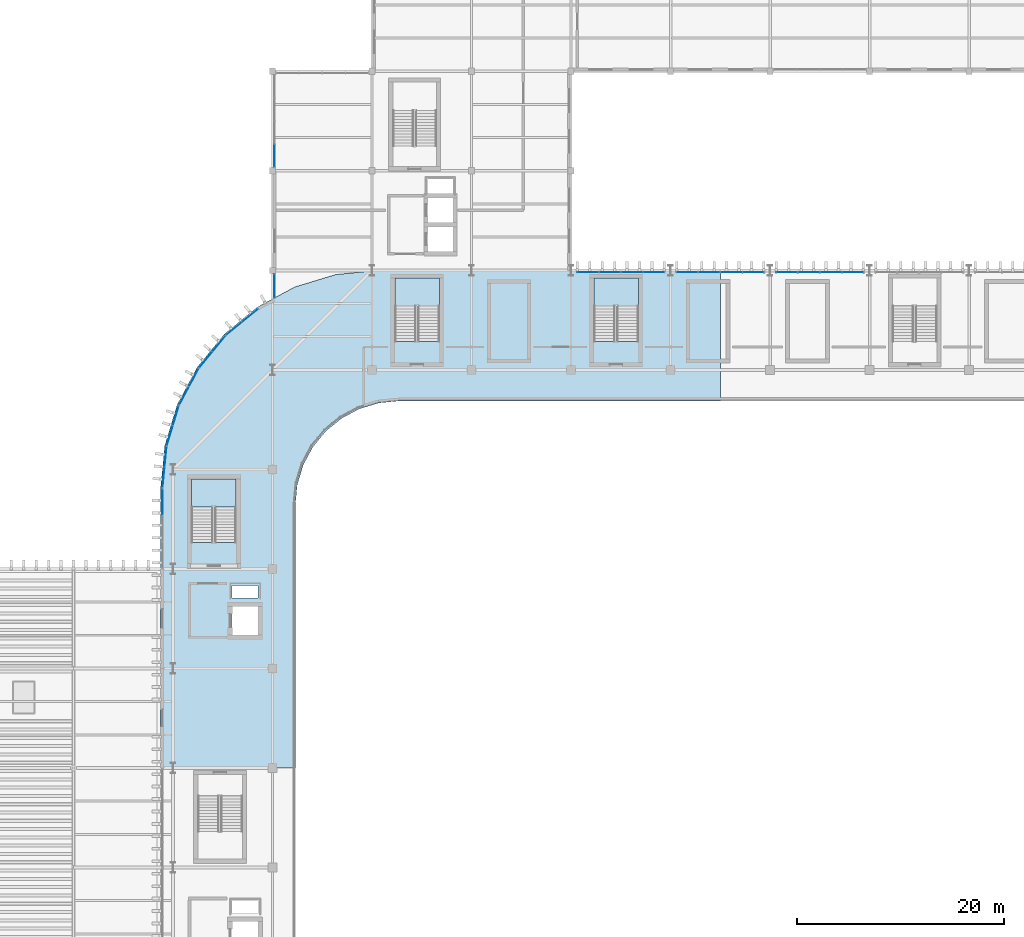
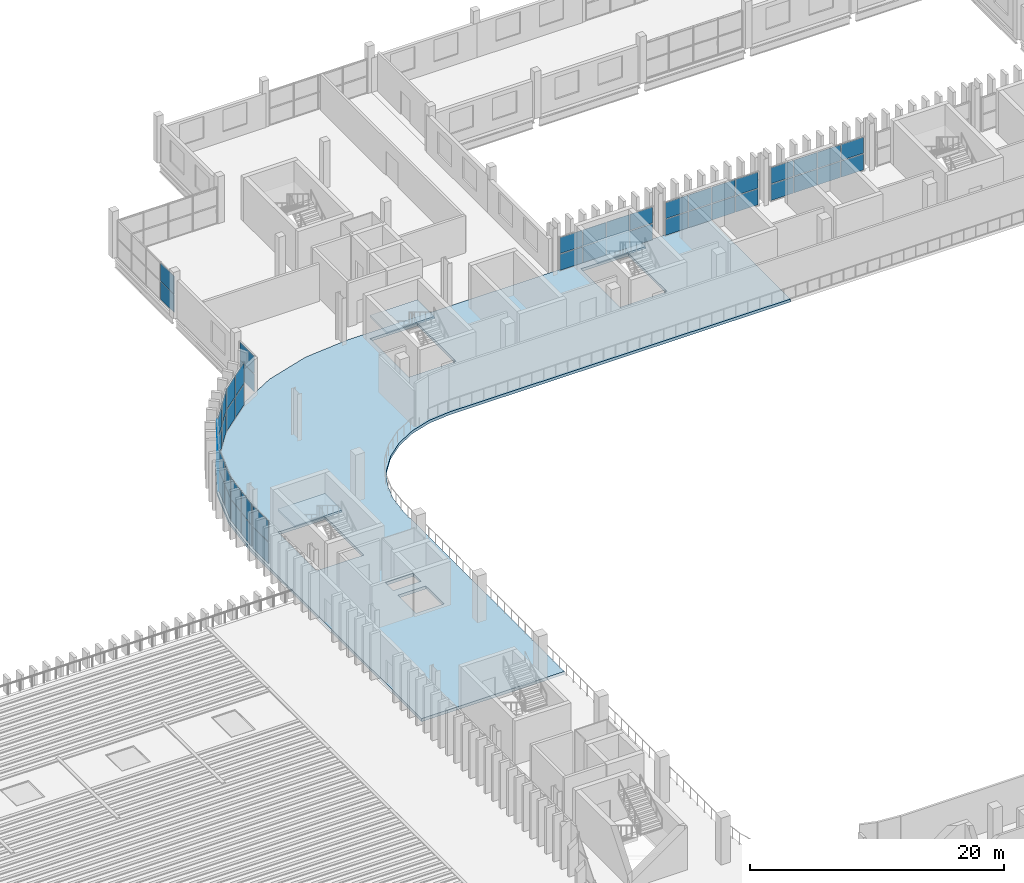
# One storey, part 50 of 92: 50 plates, 4 slabs, 14 elements without a shape of their own.
"""IFC4 building model written with IfcOpenShell, lengths in metres."""

from ifc_helpers import new_model, si_unit, direction, frame, origin, origin_2d, place, context, subcontext, project, spatial, polyline, rectangle, outline, extrude, material, layer, layer_set, type_object, element, aggregate, save


model = new_model("IFC4")

# Units and contexts
model_context = context("Model", 3, precision=1e-05, world=origin(), true_north=direction((0.0, 1.0)))
body_context = subcontext(model_context, "Body", "Model", "MODEL_VIEW")
ifc_project = project(units=[si_unit("LENGTHUNIT", "METRE"), si_unit("AREAUNIT", "SQUARE_METRE"), si_unit("VOLUMEUNIT", "CUBIC_METRE"), si_unit("PLANEANGLEUNIT", "RADIAN"), si_unit("MASSUNIT", "GRAM", prefix="KILO")], contexts=[model_context])

# Site, building, storey
site_placement = place(None, origin())
site = spatial("IfcSite", under=ifc_project, at=site_placement, CompositionType="ELEMENT")
building_placement = place(site_placement, origin())
building = spatial("IfcBuilding", under=site, at=building_placement, Name="Caelomonte Colonnade Arena", CompositionType="ELEMENT")
storey_placement = place(building_placement, frame((0.0, 0.0, 9.60009765625)))
storey = spatial("IfcBuildingStorey", under=building, at=storey_placement, Name="L02", CompositionType="ELEMENT", Elevation=9.60009765625)

# Curtain wall, plates
ifc_material_1 = material(Name="Bronze anodised aluminium and low-E glazing", Category="aluminium")
ifc_layer_1 = layer(ifc_material_1, 0.179931640625)
ifc_layer_set_1 = layer_set([ifc_layer_1], Name="Bronze anodised aluminium and low-E glazing")
curtain_wall_type_1 = type_object("IfcCurtainWallType", Name="ENV-CW-CW-L02-44-42", PredefinedType="USERDEFINED", material=ifc_layer_set_1)
curtain_wall_1_placement = place(storey_placement, origin())
curtain_wall_1 = element("IfcCurtainWall", 1, at=curtain_wall_1_placement, inside=storey, type_object=curtain_wall_type_1, Name="L02 unitized curtain wall CW-L02-0643-1102", ObjectType="UNITIZED CURTAIN WALL", PredefinedType="USERDEFINED")
ifc_material_2 = material(Name="Solar-control bronze low-E double glazing", Category="glass")
ifc_layer_2 = layer(ifc_material_2, 0.028076171875)
ifc_layer_set_2 = layer_set([ifc_layer_2], Name="Solar-control bronze low-E double glazing")
plate_type = type_object("IfcPlateType", Name="ENV-CW-PAN28", PredefinedType="CURTAIN_PANEL", material=ifc_layer_set_2)
plate_1_placement = place(storey_placement, frame((65.022705078125, 110.844970703125, 0.070068359375), z_axis=(0.0, 0.0, 1.0), x_axis=(-0.772991751994, -0.634416071163, 0.0)))
plate_1 = element("IfcPlate", 2, at=plate_1_placement, type_object=plate_type, Name="CW-L02-44-42 panel 1.1", PredefinedType="CURTAIN_PANEL", context=body_context, shape_type="SweptSolid", body=[
    extrude(rectangle(XDim=1.913330078125, YDim=0.028076171875, at=origin_2d()), origin(), (0.0, 0.0, 1.0), 2.0048828125),
])
plate_2_placement = place(storey_placement, frame((65.022705078125, 110.844970703125, 2.14501953125), z_axis=(0.0, 0.0, 1.0), x_axis=(-0.772991751994, -0.634416071163, 0.0)))
plate_2 = element("IfcPlate", 3, at=plate_2_placement, type_object=plate_type, Name="CW-L02-44-42 panel 1.2", PredefinedType="CURTAIN_PANEL", context=body_context, shape_type="SweptSolid", body=[
    extrude(rectangle(XDim=1.913330078125, YDim=0.028076171875, at=origin_2d()), origin(), (0.0, 0.0, 1.0), 2.0048828125),
])
plate_3_placement = place(storey_placement, frame((63.489501953125, 109.586669921875, 0.070068359375), z_axis=(0.0, 0.0, 1.0), x_axis=(-0.772991751994, -0.634416071163, 0.0)))
plate_3 = element("IfcPlate", 4, at=plate_3_placement, type_object=plate_type, Name="CW-L02-44-42 panel 2.1", PredefinedType="CURTAIN_PANEL", context=body_context, shape_type="SweptSolid", body=[
    extrude(rectangle(XDim=1.913330078125, YDim=0.028076171875, at=origin_2d()), origin(), (0.0, 0.0, 1.0), 2.0048828125),
])
plate_4_placement = place(storey_placement, frame((63.489501953125, 109.586669921875, 2.14501953125), z_axis=(0.0, 0.0, 1.0), x_axis=(-0.772991751994, -0.634416071163, 0.0)))
plate_4 = element("IfcPlate", 5, at=plate_4_placement, type_object=plate_type, Name="CW-L02-44-42 panel 2.2", PredefinedType="CURTAIN_PANEL", context=body_context, shape_type="SweptSolid", body=[
    extrude(rectangle(XDim=1.913330078125, YDim=0.028076171875, at=origin_2d()), origin(), (0.0, 0.0, 1.0), 2.0048828125),
])
aggregate(curtain_wall_1, [plate_1, plate_2, plate_3, plate_4])

curtain_wall_2_placement = place(storey_placement, origin())
curtain_wall_2 = element("IfcCurtainWall", 6, at=curtain_wall_2_placement, inside=storey, type_object=curtain_wall_type_1, Name="L02 unitized curtain wall CW-L02-0614-1073", ObjectType="UNITIZED CURTAIN WALL", PredefinedType="USERDEFINED")
plate_5_placement = place(storey_placement, frame((62.01318359375, 108.1103515625, 0.070068359375), z_axis=(0.0, 0.0, 1.0), x_axis=(-0.634416071163, -0.772991751994, 0.0)))
plate_5 = element("IfcPlate", 7, at=plate_5_placement, type_object=plate_type, Name="CW-L02-44-42 panel 1.1", PredefinedType="CURTAIN_PANEL", context=body_context, shape_type="SweptSolid", body=[
    extrude(rectangle(XDim=1.913330078125, YDim=0.028076171875, at=origin_2d()), origin(), (0.0, 0.0, 1.0), 2.0048828125),
])
plate_6_placement = place(storey_placement, frame((62.01318359375, 108.1103515625, 2.14501953125), z_axis=(0.0, 0.0, 1.0), x_axis=(-0.634416071163, -0.772991751994, 0.0)))
plate_6 = element("IfcPlate", 8, at=plate_6_placement, type_object=plate_type, Name="CW-L02-44-42 panel 1.2", PredefinedType="CURTAIN_PANEL", context=body_context, shape_type="SweptSolid", body=[
    extrude(rectangle(XDim=1.913330078125, YDim=0.028076171875, at=origin_2d()), origin(), (0.0, 0.0, 1.0), 2.0048828125),
])
plate_7_placement = place(storey_placement, frame((60.7548828125, 106.577392578125, 0.070068359375), z_axis=(0.0, 0.0, 1.0), x_axis=(-0.634416071163, -0.772991751994, 0.0)))
plate_7 = element("IfcPlate", 9, at=plate_7_placement, type_object=plate_type, Name="CW-L02-44-42 panel 2.1", PredefinedType="CURTAIN_PANEL", context=body_context, shape_type="SweptSolid", body=[
    extrude(rectangle(XDim=1.913330078125, YDim=0.028076171875, at=origin_2d()), origin(), (0.0, 0.0, 1.0), 2.0048828125),
])
plate_8_placement = place(storey_placement, frame((60.7548828125, 106.577392578125, 2.14501953125), z_axis=(0.0, 0.0, 1.0), x_axis=(-0.634416071163, -0.772991751994, 0.0)))
plate_8 = element("IfcPlate", 10, at=plate_8_placement, type_object=plate_type, Name="CW-L02-44-42 panel 2.2", PredefinedType="CURTAIN_PANEL", context=body_context, shape_type="SweptSolid", body=[
    extrude(rectangle(XDim=1.913330078125, YDim=0.028076171875, at=origin_2d()), origin(), (0.0, 0.0, 1.0), 2.0048828125),
])
aggregate(curtain_wall_2, [plate_5, plate_6, plate_7, plate_8])

curtain_wall_3_placement = place(storey_placement, origin())
curtain_wall_3 = element("IfcCurtainWall", 11, at=curtain_wall_3_placement, inside=storey, type_object=curtain_wall_type_1, Name="L02 unitized curtain wall CW-L02-0591-1040", ObjectType="UNITIZED CURTAIN WALL", PredefinedType="USERDEFINED")
plate_9_placement = place(storey_placement, frame((59.594970703125, 104.841552734375, 0.070068359375), z_axis=(0.0, 0.0, 1.0), x_axis=(-0.471394212466, -0.881922613642, 0.0)))
plate_9 = element("IfcPlate", 12, at=plate_9_placement, type_object=plate_type, Name="CW-L02-44-42 panel 1.1", PredefinedType="CURTAIN_PANEL", context=body_context, shape_type="SweptSolid", body=[
    extrude(rectangle(XDim=1.913330078125, YDim=0.028076171875, at=origin_2d()), origin(), (0.0, 0.0, 1.0), 2.0048828125),
])
plate_10_placement = place(storey_placement, frame((59.594970703125, 104.841552734375, 2.14501953125), z_axis=(0.0, 0.0, 1.0), x_axis=(-0.471394212466, -0.881922613642, 0.0)))
plate_10 = element("IfcPlate", 13, at=plate_10_placement, type_object=plate_type, Name="CW-L02-44-42 panel 1.2", PredefinedType="CURTAIN_PANEL", context=body_context, shape_type="SweptSolid", body=[
    extrude(rectangle(XDim=1.913330078125, YDim=0.028076171875, at=origin_2d()), origin(), (0.0, 0.0, 1.0), 2.0048828125),
])
plate_11_placement = place(storey_placement, frame((58.66015625, 103.09228515625, 0.070068359375), z_axis=(0.0, 0.0, 1.0), x_axis=(-0.471394212466, -0.881922613642, 0.0)))
plate_11 = element("IfcPlate", 14, at=plate_11_placement, type_object=plate_type, Name="CW-L02-44-42 panel 2.1", PredefinedType="CURTAIN_PANEL", context=body_context, shape_type="SweptSolid", body=[
    extrude(rectangle(XDim=1.913330078125, YDim=0.028076171875, at=origin_2d()), origin(), (0.0, 0.0, 1.0), 2.0048828125),
])
plate_12_placement = place(storey_placement, frame((58.66015625, 103.09228515625, 2.14501953125), z_axis=(0.0, 0.0, 1.0), x_axis=(-0.471394212466, -0.881922613642, 0.0)))
plate_12 = element("IfcPlate", 15, at=plate_12_placement, type_object=plate_type, Name="CW-L02-44-42 panel 2.2", PredefinedType="CURTAIN_PANEL", context=body_context, shape_type="SweptSolid", body=[
    extrude(rectangle(XDim=1.913330078125, YDim=0.028076171875, at=origin_2d()), origin(), (0.0, 0.0, 1.0), 2.0048828125),
])
aggregate(curtain_wall_3, [plate_9, plate_10, plate_11, plate_12])

curtain_wall_4_placement = place(storey_placement, origin())
curtain_wall_4 = element("IfcCurtainWall", 16, at=curtain_wall_4_placement, inside=storey, type_object=curtain_wall_type_1, Name="L02 unitized curtain wall CW-L02-0576-1002", ObjectType="UNITIZED CURTAIN WALL", PredefinedType="USERDEFINED")
plate_13_placement = place(storey_placement, frame((57.861083984375, 101.163330078125, 0.070068359375), z_axis=(0.0, 0.0, 1.0), x_axis=(-0.290255582655, -0.956949160999, 0.0)))
plate_13 = element("IfcPlate", 17, at=plate_13_placement, type_object=plate_type, Name="CW-L02-44-42 panel 1.1", PredefinedType="CURTAIN_PANEL", context=body_context, shape_type="SweptSolid", body=[
    extrude(rectangle(XDim=1.913330078125, YDim=0.028076171875, at=origin_2d()), origin(), (0.0, 0.0, 1.0), 2.0048828125),
])
plate_14_placement = place(storey_placement, frame((57.861083984375, 101.163330078125, 2.14501953125), z_axis=(0.0, 0.0, 1.0), x_axis=(-0.290255582655, -0.956949160999, 0.0)))
plate_14 = element("IfcPlate", 18, at=plate_14_placement, type_object=plate_type, Name="CW-L02-44-42 panel 1.2", PredefinedType="CURTAIN_PANEL", context=body_context, shape_type="SweptSolid", body=[
    extrude(rectangle(XDim=1.913330078125, YDim=0.028076171875, at=origin_2d()), origin(), (0.0, 0.0, 1.0), 2.0048828125),
])
plate_15_placement = place(storey_placement, frame((57.285400390625, 99.265380859375, 0.070068359375), z_axis=(0.0, 0.0, 1.0), x_axis=(-0.290255582655, -0.956949160999, 0.0)))
plate_15 = element("IfcPlate", 19, at=plate_15_placement, type_object=plate_type, Name="CW-L02-44-42 panel 2.1", PredefinedType="CURTAIN_PANEL", context=body_context, shape_type="SweptSolid", body=[
    extrude(rectangle(XDim=1.913330078125, YDim=0.028076171875, at=origin_2d()), origin(), (0.0, 0.0, 1.0), 2.0048828125),
])
plate_16_placement = place(storey_placement, frame((57.285400390625, 99.265380859375, 2.14501953125), z_axis=(0.0, 0.0, 1.0), x_axis=(-0.290255582655, -0.956949160999, 0.0)))
plate_16 = element("IfcPlate", 20, at=plate_16_placement, type_object=plate_type, Name="CW-L02-44-42 panel 2.2", PredefinedType="CURTAIN_PANEL", context=body_context, shape_type="SweptSolid", body=[
    extrude(rectangle(XDim=1.913330078125, YDim=0.028076171875, at=origin_2d()), origin(), (0.0, 0.0, 1.0), 2.0048828125),
])
aggregate(curtain_wall_4, [plate_13, plate_14, plate_15, plate_16])

curtain_wall_5_placement = place(storey_placement, origin())
curtain_wall_5 = element("IfcCurtainWall", 21, at=curtain_wall_5_placement, inside=storey, type_object=curtain_wall_type_1, Name="L02 unitized curtain wall CW-L02-0568-0962", ObjectType="UNITIZED CURTAIN WALL", PredefinedType="USERDEFINED")
plate_17_placement = place(storey_placement, frame((56.878173828125, 97.2177734375, 0.070068359375), z_axis=(0.0, 0.0, 1.0), x_axis=(-0.098002498041, -0.995186168703, 0.0)))
plate_17 = element("IfcPlate", 22, at=plate_17_placement, type_object=plate_type, Name="CW-L02-44-42 panel 1.1", PredefinedType="CURTAIN_PANEL", context=body_context, shape_type="SweptSolid", body=[
    extrude(rectangle(XDim=1.913330078125, YDim=0.028076171875, at=origin_2d()), origin(), (0.0, 0.0, 1.0), 2.0048828125),
])
plate_18_placement = place(storey_placement, frame((56.878173828125, 97.2177734375, 2.14501953125), z_axis=(0.0, 0.0, 1.0), x_axis=(-0.098002498041, -0.995186168703, 0.0)))
plate_18 = element("IfcPlate", 23, at=plate_18_placement, type_object=plate_type, Name="CW-L02-44-42 panel 1.2", PredefinedType="CURTAIN_PANEL", context=body_context, shape_type="SweptSolid", body=[
    extrude(rectangle(XDim=1.913330078125, YDim=0.028076171875, at=origin_2d()), origin(), (0.0, 0.0, 1.0), 2.0048828125),
])
plate_19_placement = place(storey_placement, frame((56.68359375, 95.243896484375, 0.070068359375), z_axis=(0.0, 0.0, 1.0), x_axis=(-0.098002498041, -0.995186168703, 0.0)))
plate_19 = element("IfcPlate", 24, at=plate_19_placement, type_object=plate_type, Name="CW-L02-44-42 panel 2.1", PredefinedType="CURTAIN_PANEL", context=body_context, shape_type="SweptSolid", body=[
    extrude(rectangle(XDim=1.913330078125, YDim=0.028076171875, at=origin_2d()), origin(), (0.0, 0.0, 1.0), 2.0048828125),
])
plate_20_placement = place(storey_placement, frame((56.68359375, 95.243896484375, 2.14501953125), z_axis=(0.0, 0.0, 1.0), x_axis=(-0.098002498041, -0.995186168703, 0.0)))
plate_20 = element("IfcPlate", 25, at=plate_20_placement, type_object=plate_type, Name="CW-L02-44-42 panel 2.2", PredefinedType="CURTAIN_PANEL", context=body_context, shape_type="SweptSolid", body=[
    extrude(rectangle(XDim=1.913330078125, YDim=0.028076171875, at=origin_2d()), origin(), (0.0, 0.0, 1.0), 2.0048828125),
])
aggregate(curtain_wall_5, [plate_17, plate_18, plate_19, plate_20])

ifc_layer_3 = layer(ifc_material_1, 0.179931640625)
ifc_layer_set_3 = layer_set([ifc_layer_3], Name="Bronze anodised aluminium and low-E glazing")
curtain_wall_type_2 = type_object("IfcCurtainWallType", Name="ENV-CW-CW-L02-79-42", PredefinedType="USERDEFINED", material=ifc_layer_set_3)
curtain_wall_6_placement = place(storey_placement, origin())
curtain_wall_6 = element("IfcCurtainWall", 26, at=curtain_wall_6_placement, inside=storey, type_object=curtain_wall_type_2, Name="L02 unitized curtain wall CW-L02-0566-0904", ObjectType="UNITIZED CURTAIN WALL", PredefinedType="USERDEFINED")
plate_21_placement = place(storey_placement, frame((56.580078125, 92.855712890625, 0.070068359375), z_axis=(0.0, 0.0, 1.0), x_axis=(0.0, -1.0, 0.0)))
plate_21 = element("IfcPlate", 27, at=plate_21_placement, type_object=plate_type, Name="CW-L02-79-42 panel 1.1", PredefinedType="CURTAIN_PANEL", context=body_context, shape_type="SweptSolid", body=[
    extrude(rectangle(XDim=2.46826171875, YDim=0.028076171875, at=origin_2d()), origin(), (0.0, 0.0, 1.0), 2.0048828125),
])
plate_22_placement = place(storey_placement, frame((56.580078125, 92.855712890625, 2.14501953125), z_axis=(0.0, 0.0, 1.0), x_axis=(0.0, -1.0, 0.0)))
plate_22 = element("IfcPlate", 28, at=plate_22_placement, type_object=plate_type, Name="CW-L02-79-42 panel 1.2", PredefinedType="CURTAIN_PANEL", context=body_context, shape_type="SweptSolid", body=[
    extrude(rectangle(XDim=2.46826171875, YDim=0.028076171875, at=origin_2d()), origin(), (0.0, 0.0, 1.0), 2.0048828125),
])
aggregate(curtain_wall_6, [plate_21, plate_22])

ifc_layer_4 = layer(ifc_material_1, 0.179931640625)
ifc_layer_set_4 = layer_set([ifc_layer_4], Name="Bronze anodised aluminium and low-E glazing")
curtain_wall_type_3 = type_object("IfcCurtainWallType", Name="ENV-CW-CW-L02-96-36", PredefinedType="USERDEFINED", material=ifc_layer_set_4)
curtain_wall_7_placement = place(storey_placement, origin())
curtain_wall_7 = element("IfcCurtainWall", 29, at=curtain_wall_7_placement, inside=storey, type_object=curtain_wall_type_3, Name="L02 unitized curtain wall CW-L02-0674-1296", ObjectType="UNITIZED CURTAIN WALL", PredefinedType="USERDEFINED")
plate_23_placement = place(storey_placement, frame((67.3798828125, 126.25634765625, 0.06494140625), z_axis=(0.0, 0.0, 1.0), x_axis=(0.0, -1.0, 0.0)))
plate_23 = element("IfcPlate", 30, at=plate_23_placement, type_object=plate_type, Name="CW-L02-96-36 panel 4.1", PredefinedType="CURTAIN_PANEL", context=body_context, shape_type="SweptSolid", body=[
    extrude(rectangle(XDim=2.142578125, YDim=0.028076171875, at=origin_2d()), origin(), (0.0, 0.0, 1.0), 1.708984375),
])
plate_24_placement = place(storey_placement, frame((67.3798828125, 126.25634765625, 1.8388671875), z_axis=(0.0, 0.0, 1.0), x_axis=(0.0, -1.0, 0.0)))
plate_24 = element("IfcPlate", 31, at=plate_24_placement, type_object=plate_type, Name="CW-L02-96-36 panel 4.2", PredefinedType="CURTAIN_PANEL", context=body_context, shape_type="SweptSolid", body=[
    extrude(rectangle(XDim=2.142578125, YDim=0.028076171875, at=origin_2d()), origin(), (0.0, 0.0, 1.0), 1.708984375),
])
aggregate(curtain_wall_7, [plate_23, plate_24])

ifc_layer_5 = layer(ifc_material_1, 0.179931640625)
ifc_layer_set_5 = layer_set([ifc_layer_5], Name="Bronze anodised aluminium and low-E glazing")
curtain_wall_type_4 = type_object("IfcCurtainWallType", Name="ENV-CW-CW-L02-29-36", PredefinedType="USERDEFINED", material=ifc_layer_set_5)
curtain_wall_8_placement = place(storey_placement, origin())
curtain_wall_8 = element("IfcCurtainWall", 32, at=curtain_wall_8_placement, inside=storey, type_object=curtain_wall_type_4, Name="L02 unitized curtain wall CW-L02-0674-1138", ObjectType="UNITIZED CURTAIN WALL", PredefinedType="USERDEFINED")
plate_25_placement = place(storey_placement, frame((67.3798828125, 113.6826171875, 0.06982421875), z_axis=(0.0, 0.0, 1.0), x_axis=(0.0, -1.0, 0.0)))
plate_25 = element("IfcPlate", 33, at=plate_25_placement, type_object=plate_type, Name="CW-L02-29-36 panel 1.1", PredefinedType="CURTAIN_PANEL", context=body_context, shape_type="SweptSolid", body=[
    extrude(rectangle(XDim=2.2548828125, YDim=0.028076171875, at=origin_2d()), origin(), (0.0, 0.0, 1.0), 1.701416015625),
])
plate_26_placement = place(storey_placement, frame((67.3798828125, 113.6826171875, 1.84130859375), z_axis=(0.0, 0.0, 1.0), x_axis=(0.0, -1.0, 0.0)))
plate_26 = element("IfcPlate", 34, at=plate_26_placement, type_object=plate_type, Name="CW-L02-29-36 panel 1.2", PredefinedType="CURTAIN_PANEL", context=body_context, shape_type="SweptSolid", body=[
    extrude(rectangle(XDim=2.2548828125, YDim=0.028076171875, at=origin_2d()), origin(), (0.0, 0.0, 1.0), 1.701416015625),
])
aggregate(curtain_wall_8, [plate_25, plate_26])

ifc_layer_6 = layer(ifc_material_1, 0.179931640625)
ifc_layer_set_6 = layer_set([ifc_layer_6], Name="Bronze anodised aluminium and low-E glazing")
curtain_wall_type_5 = type_object("IfcCurtainWallType", Name="ENV-CW-CW-L02-96-33", PredefinedType="USERDEFINED", material=ifc_layer_set_6)
curtain_wall_9_placement = place(storey_placement, origin())
curtain_wall_9 = element("IfcCurtainWall", 35, at=curtain_wall_9_placement, inside=storey, type_object=curtain_wall_type_5, Name="L02 unitized curtain wall CW-L02-1200-1150", ObjectType="UNITIZED CURTAIN WALL", PredefinedType="USERDEFINED")
plate_27_placement = place(storey_placement, frame((123.1884765625, 115.02001953125, 0.06982421875), z_axis=(0.0, 0.0, 1.0), x_axis=(-1.0, 0.0, 0.0)))
plate_27 = element("IfcPlate", 36, at=plate_27_placement, type_object=plate_type, Name="CW-L02-96-33 panel 1.1", PredefinedType="CURTAIN_PANEL", context=body_context, shape_type="SweptSolid", body=[
    extrude(rectangle(XDim=2.0322265625, YDim=0.028076171875, at=origin_2d()), origin(), (0.0, 0.0, 1.0), 1.54150390625),
])
plate_28_placement = place(storey_placement, frame((123.1884765625, 115.02001953125, 1.681396484375), z_axis=(0.0, 0.0, 1.0), x_axis=(-1.0, 0.0, 0.0)))
plate_28 = element("IfcPlate", 37, at=plate_28_placement, type_object=plate_type, Name="CW-L02-96-33 panel 1.2", PredefinedType="CURTAIN_PANEL", context=body_context, shape_type="SweptSolid", body=[
    extrude(rectangle(XDim=2.0322265625, YDim=0.028076171875, at=origin_2d()), origin(), (0.0, 0.0, 1.0), 1.54150390625),
])
plate_29_placement = place(storey_placement, frame((121.068603515625, 115.02001953125, 0.06982421875), z_axis=(0.0, 0.0, 1.0), x_axis=(-1.0, 0.0, 0.0)))
plate_29 = element("IfcPlate", 38, at=plate_29_placement, type_object=plate_type, Name="CW-L02-96-33 panel 2.1", PredefinedType="CURTAIN_PANEL", context=body_context, shape_type="SweptSolid", body=[
    extrude(rectangle(XDim=2.067138671875, YDim=0.028076171875, at=origin_2d()), origin(), (0.0, 0.0, 1.0), 1.54150390625),
])
plate_30_placement = place(storey_placement, frame((121.068603515625, 115.02001953125, 1.681396484375), z_axis=(0.0, 0.0, 1.0), x_axis=(-1.0, 0.0, 0.0)))
plate_30 = element("IfcPlate", 39, at=plate_30_placement, type_object=plate_type, Name="CW-L02-96-33 panel 2.2", PredefinedType="CURTAIN_PANEL", context=body_context, shape_type="SweptSolid", body=[
    extrude(rectangle(XDim=2.067138671875, YDim=0.028076171875, at=origin_2d()), origin(), (0.0, 0.0, 1.0), 1.54150390625),
])
plate_31_placement = place(storey_placement, frame((118.931396484375, 115.02001953125, 0.06982421875), z_axis=(0.0, 0.0, 1.0), x_axis=(-1.0, 0.0, 0.0)))
plate_31 = element("IfcPlate", 40, at=plate_31_placement, type_object=plate_type, Name="CW-L02-96-33 panel 3.1", PredefinedType="CURTAIN_PANEL", context=body_context, shape_type="SweptSolid", body=[
    extrude(rectangle(XDim=2.067138671875, YDim=0.028076171875, at=origin_2d()), origin(), (0.0, 0.0, 1.0), 1.54150390625),
])
plate_32_placement = place(storey_placement, frame((118.931396484375, 115.02001953125, 1.681396484375), z_axis=(0.0, 0.0, 1.0), x_axis=(-1.0, 0.0, 0.0)))
plate_32 = element("IfcPlate", 41, at=plate_32_placement, type_object=plate_type, Name="CW-L02-96-33 panel 3.2", PredefinedType="CURTAIN_PANEL", context=body_context, shape_type="SweptSolid", body=[
    extrude(rectangle(XDim=2.067138671875, YDim=0.028076171875, at=origin_2d()), origin(), (0.0, 0.0, 1.0), 1.54150390625),
])
plate_33_placement = place(storey_placement, frame((116.8115234375, 115.02001953125, 0.06982421875), z_axis=(0.0, 0.0, 1.0), x_axis=(-1.0, 0.0, 0.0)))
plate_33 = element("IfcPlate", 42, at=plate_33_placement, type_object=plate_type, Name="CW-L02-96-33 panel 4.1", PredefinedType="CURTAIN_PANEL", context=body_context, shape_type="SweptSolid", body=[
    extrude(rectangle(XDim=2.0322265625, YDim=0.028076171875, at=origin_2d()), origin(), (0.0, 0.0, 1.0), 1.54150390625),
])
plate_34_placement = place(storey_placement, frame((116.8115234375, 115.02001953125, 1.681396484375), z_axis=(0.0, 0.0, 1.0), x_axis=(-1.0, 0.0, 0.0)))
plate_34 = element("IfcPlate", 43, at=plate_34_placement, type_object=plate_type, Name="CW-L02-96-33 panel 4.2", PredefinedType="CURTAIN_PANEL", context=body_context, shape_type="SweptSolid", body=[
    extrude(rectangle(XDim=2.0322265625, YDim=0.028076171875, at=origin_2d()), origin(), (0.0, 0.0, 1.0), 1.54150390625),
])
aggregate(curtain_wall_9, [plate_27, plate_28, plate_29, plate_30, plate_31, plate_32, plate_33, plate_34])

curtain_wall_10_placement = place(storey_placement, origin())
curtain_wall_10 = element("IfcCurtainWall", 44, at=curtain_wall_10_placement, inside=storey, type_object=curtain_wall_type_5, Name="L02 unitized curtain wall CW-L02-1104-1150", ObjectType="UNITIZED CURTAIN WALL", PredefinedType="USERDEFINED")
plate_35_placement = place(storey_placement, frame((113.58837890625, 115.02001953125, 0.06982421875), z_axis=(0.0, 0.0, 1.0), x_axis=(-1.0, 0.0, 0.0)))
plate_35 = element("IfcPlate", 45, at=plate_35_placement, type_object=plate_type, Name="CW-L02-96-33 panel 1.1", PredefinedType="CURTAIN_PANEL", context=body_context, shape_type="SweptSolid", body=[
    extrude(rectangle(XDim=2.0322265625, YDim=0.028076171875, at=origin_2d()), origin(), (0.0, 0.0, 1.0), 1.54150390625),
])
plate_36_placement = place(storey_placement, frame((113.58837890625, 115.02001953125, 1.681396484375), z_axis=(0.0, 0.0, 1.0), x_axis=(-1.0, 0.0, 0.0)))
plate_36 = element("IfcPlate", 46, at=plate_36_placement, type_object=plate_type, Name="CW-L02-96-33 panel 1.2", PredefinedType="CURTAIN_PANEL", context=body_context, shape_type="SweptSolid", body=[
    extrude(rectangle(XDim=2.0322265625, YDim=0.028076171875, at=origin_2d()), origin(), (0.0, 0.0, 1.0), 1.54150390625),
])
plate_37_placement = place(storey_placement, frame((111.468505859375, 115.02001953125, 0.06982421875), z_axis=(0.0, 0.0, 1.0), x_axis=(-1.0, 0.0, 0.0)))
plate_37 = element("IfcPlate", 47, at=plate_37_placement, type_object=plate_type, Name="CW-L02-96-33 panel 2.1", PredefinedType="CURTAIN_PANEL", context=body_context, shape_type="SweptSolid", body=[
    extrude(rectangle(XDim=2.067138671875, YDim=0.028076171875, at=origin_2d()), origin(), (0.0, 0.0, 1.0), 1.54150390625),
])
plate_38_placement = place(storey_placement, frame((111.468505859375, 115.02001953125, 1.681396484375), z_axis=(0.0, 0.0, 1.0), x_axis=(-1.0, 0.0, 0.0)))
plate_38 = element("IfcPlate", 48, at=plate_38_placement, type_object=plate_type, Name="CW-L02-96-33 panel 2.2", PredefinedType="CURTAIN_PANEL", context=body_context, shape_type="SweptSolid", body=[
    extrude(rectangle(XDim=2.067138671875, YDim=0.028076171875, at=origin_2d()), origin(), (0.0, 0.0, 1.0), 1.54150390625),
])
plate_39_placement = place(storey_placement, frame((109.331298828125, 115.02001953125, 0.06982421875), z_axis=(0.0, 0.0, 1.0), x_axis=(-1.0, 0.0, 0.0)))
plate_39 = element("IfcPlate", 49, at=plate_39_placement, type_object=plate_type, Name="CW-L02-96-33 panel 3.1", PredefinedType="CURTAIN_PANEL", context=body_context, shape_type="SweptSolid", body=[
    extrude(rectangle(XDim=2.067138671875, YDim=0.028076171875, at=origin_2d()), origin(), (0.0, 0.0, 1.0), 1.54150390625),
])
plate_40_placement = place(storey_placement, frame((109.331298828125, 115.02001953125, 1.681396484375), z_axis=(0.0, 0.0, 1.0), x_axis=(-1.0, 0.0, 0.0)))
plate_40 = element("IfcPlate", 50, at=plate_40_placement, type_object=plate_type, Name="CW-L02-96-33 panel 3.2", PredefinedType="CURTAIN_PANEL", context=body_context, shape_type="SweptSolid", body=[
    extrude(rectangle(XDim=2.067138671875, YDim=0.028076171875, at=origin_2d()), origin(), (0.0, 0.0, 1.0), 1.54150390625),
])
plate_41_placement = place(storey_placement, frame((107.211669921875, 115.02001953125, 0.06982421875), z_axis=(0.0, 0.0, 1.0), x_axis=(-1.0, 0.0, 0.0)))
plate_41 = element("IfcPlate", 51, at=plate_41_placement, type_object=plate_type, Name="CW-L02-96-33 panel 4.1", PredefinedType="CURTAIN_PANEL", context=body_context, shape_type="SweptSolid", body=[
    extrude(rectangle(XDim=2.0322265625, YDim=0.028076171875, at=origin_2d()), origin(), (0.0, 0.0, 1.0), 1.54150390625),
])
plate_42_placement = place(storey_placement, frame((107.211669921875, 115.02001953125, 1.681396484375), z_axis=(0.0, 0.0, 1.0), x_axis=(-1.0, 0.0, 0.0)))
plate_42 = element("IfcPlate", 52, at=plate_42_placement, type_object=plate_type, Name="CW-L02-96-33 panel 4.2", PredefinedType="CURTAIN_PANEL", context=body_context, shape_type="SweptSolid", body=[
    extrude(rectangle(XDim=2.0322265625, YDim=0.028076171875, at=origin_2d()), origin(), (0.0, 0.0, 1.0), 1.54150390625),
])
aggregate(curtain_wall_10, [plate_35, plate_36, plate_37, plate_38, plate_39, plate_40, plate_41, plate_42])

curtain_wall_11_placement = place(storey_placement, origin())
curtain_wall_11 = element("IfcCurtainWall", 53, at=curtain_wall_11_placement, inside=storey, type_object=curtain_wall_type_5, Name="L02 unitized curtain wall CW-L02-1008-1150", ObjectType="UNITIZED CURTAIN WALL", PredefinedType="USERDEFINED")
plate_43_placement = place(storey_placement, frame((103.98828125, 115.02001953125, 0.06982421875), z_axis=(0.0, 0.0, 1.0), x_axis=(-1.0, 0.0, 0.0)))
plate_43 = element("IfcPlate", 54, at=plate_43_placement, type_object=plate_type, Name="CW-L02-96-33 panel 1.1", PredefinedType="CURTAIN_PANEL", context=body_context, shape_type="SweptSolid", body=[
    extrude(rectangle(XDim=2.0322265625, YDim=0.028076171875, at=origin_2d()), origin(), (0.0, 0.0, 1.0), 1.54150390625),
])
plate_44_placement = place(storey_placement, frame((103.98828125, 115.02001953125, 1.681396484375), z_axis=(0.0, 0.0, 1.0), x_axis=(-1.0, 0.0, 0.0)))
plate_44 = element("IfcPlate", 55, at=plate_44_placement, type_object=plate_type, Name="CW-L02-96-33 panel 1.2", PredefinedType="CURTAIN_PANEL", context=body_context, shape_type="SweptSolid", body=[
    extrude(rectangle(XDim=2.0322265625, YDim=0.028076171875, at=origin_2d()), origin(), (0.0, 0.0, 1.0), 1.54150390625),
])
plate_45_placement = place(storey_placement, frame((101.86865234375, 115.02001953125, 0.06982421875), z_axis=(0.0, 0.0, 1.0), x_axis=(-1.0, 0.0, 0.0)))
plate_45 = element("IfcPlate", 56, at=plate_45_placement, type_object=plate_type, Name="CW-L02-96-33 panel 2.1", PredefinedType="CURTAIN_PANEL", context=body_context, shape_type="SweptSolid", body=[
    extrude(rectangle(XDim=2.067138671875, YDim=0.028076171875, at=origin_2d()), origin(), (0.0, 0.0, 1.0), 1.54150390625),
])
plate_46_placement = place(storey_placement, frame((101.86865234375, 115.02001953125, 1.681396484375), z_axis=(0.0, 0.0, 1.0), x_axis=(-1.0, 0.0, 0.0)))
plate_46 = element("IfcPlate", 57, at=plate_46_placement, type_object=plate_type, Name="CW-L02-96-33 panel 2.2", PredefinedType="CURTAIN_PANEL", context=body_context, shape_type="SweptSolid", body=[
    extrude(rectangle(XDim=2.067138671875, YDim=0.028076171875, at=origin_2d()), origin(), (0.0, 0.0, 1.0), 1.54150390625),
])
plate_47_placement = place(storey_placement, frame((99.7314453125, 115.02001953125, 0.06982421875), z_axis=(0.0, 0.0, 1.0), x_axis=(-1.0, 0.0, 0.0)))
plate_47 = element("IfcPlate", 58, at=plate_47_placement, type_object=plate_type, Name="CW-L02-96-33 panel 3.1", PredefinedType="CURTAIN_PANEL", context=body_context, shape_type="SweptSolid", body=[
    extrude(rectangle(XDim=2.067138671875, YDim=0.028076171875, at=origin_2d()), origin(), (0.0, 0.0, 1.0), 1.54150390625),
])
plate_48_placement = place(storey_placement, frame((99.7314453125, 115.02001953125, 1.681396484375), z_axis=(0.0, 0.0, 1.0), x_axis=(-1.0, 0.0, 0.0)))
plate_48 = element("IfcPlate", 59, at=plate_48_placement, type_object=plate_type, Name="CW-L02-96-33 panel 3.2", PredefinedType="CURTAIN_PANEL", context=body_context, shape_type="SweptSolid", body=[
    extrude(rectangle(XDim=2.067138671875, YDim=0.028076171875, at=origin_2d()), origin(), (0.0, 0.0, 1.0), 1.54150390625),
])
plate_49_placement = place(storey_placement, frame((97.611572265625, 115.02001953125, 0.06982421875), z_axis=(0.0, 0.0, 1.0), x_axis=(-1.0, 0.0, 0.0)))
plate_49 = element("IfcPlate", 60, at=plate_49_placement, type_object=plate_type, Name="CW-L02-96-33 panel 4.1", PredefinedType="CURTAIN_PANEL", context=body_context, shape_type="SweptSolid", body=[
    extrude(rectangle(XDim=2.0322265625, YDim=0.028076171875, at=origin_2d()), origin(), (0.0, 0.0, 1.0), 1.54150390625),
])
plate_50_placement = place(storey_placement, frame((97.611572265625, 115.02001953125, 1.681396484375), z_axis=(0.0, 0.0, 1.0), x_axis=(-1.0, 0.0, 0.0)))
plate_50 = element("IfcPlate", 61, at=plate_50_placement, type_object=plate_type, Name="CW-L02-96-33 panel 4.2", PredefinedType="CURTAIN_PANEL", context=body_context, shape_type="SweptSolid", body=[
    extrude(rectangle(XDim=2.0322265625, YDim=0.028076171875, at=origin_2d()), origin(), (0.0, 0.0, 1.0), 1.54150390625),
])
aggregate(curtain_wall_11, [plate_43, plate_44, plate_45, plate_46, plate_47, plate_48, plate_49, plate_50])

# Stair, slab
ifc_material_3 = material(Name="Concrete C40/50", Category="concrete")
stair_type_1 = type_object("IfcStairType", Name="INT-ST-WING45", PredefinedType="HALF_TURN_STAIR", material=ifc_material_3)
stair_1_placement = place(storey_placement, origin())
stair_1 = element("IfcStair", 62, at=stair_1_placement, inside=storey, type_object=stair_type_1, Name="L02 Core C4 exit stair ST-04", PredefinedType="HALF_TURN_STAIR")
ifc_layer_7 = layer(ifc_material_3, 0.199951171875)
ifc_layer_set_7 = layer_set([ifc_layer_7], Name="Concrete C40/50")
slab_type_1 = type_object("IfcSlabType", Name="INT-SL-LAND20", PredefinedType="LANDING", material=ifc_layer_set_7)
slab_1_placement = place(storey_placement, frame((0.0, 0.0, 2.0498046875)))
slab_1 = element("IfcSlab", 63, at=slab_1_placement, type_object=slab_type_1, Name="ST-04 landing 1", PredefinedType="LANDING", context=body_context, shape_type="SweptSolid", body=[
    extrude(outline(polyline([(63.699951171875, 92.3701171875), (63.699951171875, 95.050048828125), (59.39990234375, 95.050048828125), (59.39990234375, 92.3701171875), (63.699951171875, 92.3701171875)])), origin(), (0.0, 0.0, 1.0), 0.2001953125),
])
aggregate(stair_1, [slab_1])

stair_type_2 = type_object("IfcStairType", Name="INT-ST-CORE45", PredefinedType="HALF_TURN_STAIR", material=ifc_material_3)
stair_2_placement = place(storey_placement, origin())
stair_2 = element("IfcStair", 64, at=stair_2_placement, inside=storey, type_object=stair_type_2, Name="L02 Protected exit stair ST-14", PredefinedType="HALF_TURN_STAIR")
slab_2_placement = place(storey_placement, frame((0.0, 0.0, 2.0498046875)))
slab_2 = element("IfcSlab", 65, at=slab_2_placement, type_object=slab_type_1, Name="ST-14 landing 1", PredefinedType="LANDING", context=body_context, shape_type="SweptSolid", body=[
    extrude(outline(polyline([(83.300048828125, 111.77001953125), (83.300048828125, 114.449951171875), (79.0, 114.449951171875), (79.0, 111.77001953125), (83.300048828125, 111.77001953125)])), origin(), (0.0, 0.0, 1.0), 0.2001953125),
])
aggregate(stair_2, [slab_2])

stair_3_placement = place(storey_placement, origin())
stair_3 = element("IfcStair", 66, at=stair_3_placement, inside=storey, type_object=stair_type_2, Name="L02 Protected exit stair ST-15", PredefinedType="HALF_TURN_STAIR")
slab_3_placement = place(storey_placement, frame((0.0, 0.0, 2.0498046875)))
slab_3 = element("IfcSlab", 67, at=slab_3_placement, type_object=slab_type_1, Name="ST-15 landing 1", PredefinedType="LANDING", context=body_context, shape_type="SweptSolid", body=[
    extrude(outline(polyline([(102.5, 111.77001953125), (102.5, 114.449951171875), (98.199951171875, 114.449951171875), (98.199951171875, 111.77001953125), (102.5, 111.77001953125)])), origin(), (0.0, 0.0, 1.0), 0.2001953125),
])
aggregate(stair_3, [slab_3])

# Slab
ifc_layer_8 = layer(ifc_material_3, 0.280029296875)
ifc_layer_set_8 = layer_set([ifc_layer_8], Name="Concrete C40/50")
slab_type_2 = type_object("IfcSlabType", Name="STR-SL-FLR28", PredefinedType="FLOOR", material=ifc_layer_set_8)
slab_4_placement = place(storey_placement, frame((0.0, 0.0, -0.280029296875)))
element("IfcSlab", 68, at=slab_4_placement, inside=storey, type_object=slab_type_2, Name="L02 structural floor slab SL-L02-V1-NW", PredefinedType="FLOOR", context=body_context, shape_type="SweptSolid", body=[
    extrude(outline(polyline([(56.39990234375, 94.199951171875), (56.39990234375, 67.199951171875), (69.39990234375, 67.199951171875), (69.39990234375, 92.60009765625), (69.592041015625, 94.55078125), (70.1611328125, 96.4267578125), (71.085205078125, 98.15576171875), (72.328857421875, 99.671142578125), (73.84423828125, 100.914794921875), (75.5732421875, 101.8388671875), (77.44921875, 102.407958984375), (79.39990234375, 102.60009765625), (110.39990234375, 102.60009765625), (110.39990234375, 115.199951171875), (77.39990234375, 115.199951171875), (73.302978515625, 114.79638671875), (69.363525390625, 113.6015625), (65.73291015625, 111.660888671875), (62.55078125, 109.04931640625), (59.939208984375, 105.866943359375), (57.99853515625, 102.236328125), (56.803466796875, 98.296875), (56.39990234375, 94.199951171875)]), holes=[polyline([(63.280029296875, 79.97998046875), (63.280029296875, 82.820068359375), (65.820068359375, 82.820068359375), (65.820068359375, 79.97998046875), (63.280029296875, 79.97998046875)]), polyline([(63.280029296875, 83.580078125), (63.280029296875, 84.820068359375), (65.820068359375, 84.820068359375), (65.820068359375, 83.580078125), (63.280029296875, 83.580078125)]), polyline([(59.39990234375, 88.949951171875), (59.39990234375, 95.050048828125), (63.699951171875, 95.050048828125), (63.699951171875, 88.949951171875), (59.39990234375, 88.949951171875)]), polyline([(79.0, 108.35009765625), (79.0, 114.449951171875), (83.300048828125, 114.449951171875), (83.300048828125, 108.35009765625), (79.0, 108.35009765625)]), polyline([(98.199951171875, 108.35009765625), (98.199951171875, 114.449951171875), (102.5, 114.449951171875), (102.5, 108.35009765625), (98.199951171875, 108.35009765625)])]), origin(), (0.0, 0.0, 1.0), 0.280029296875),
])

save(model, "model.ifc")
